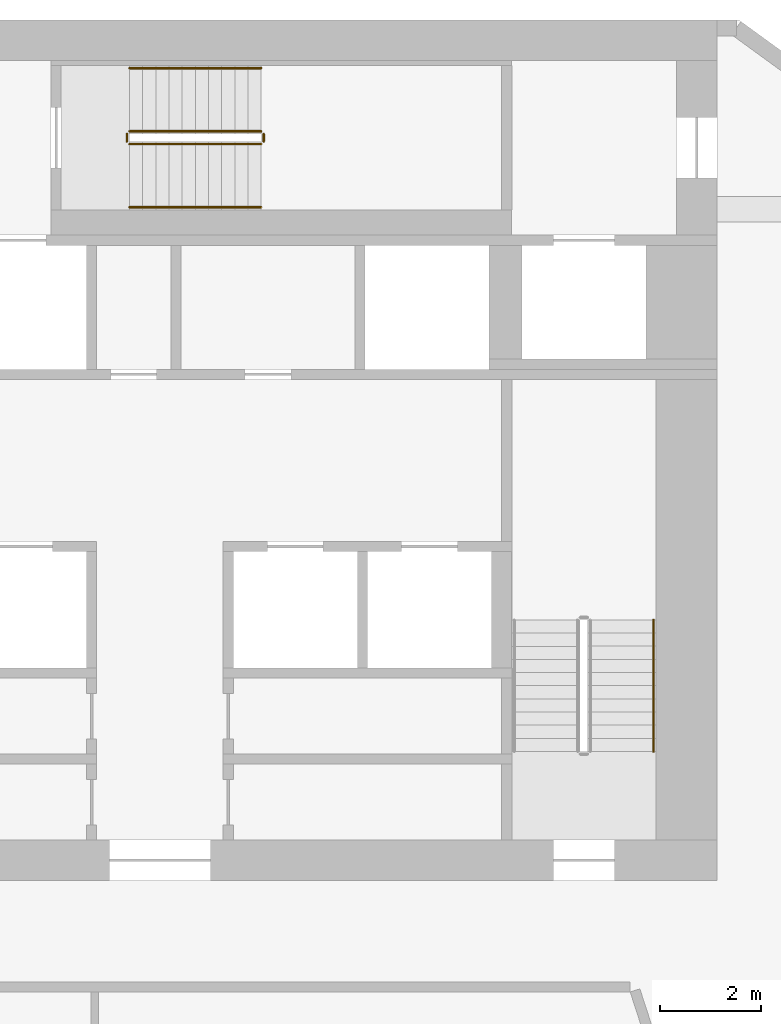
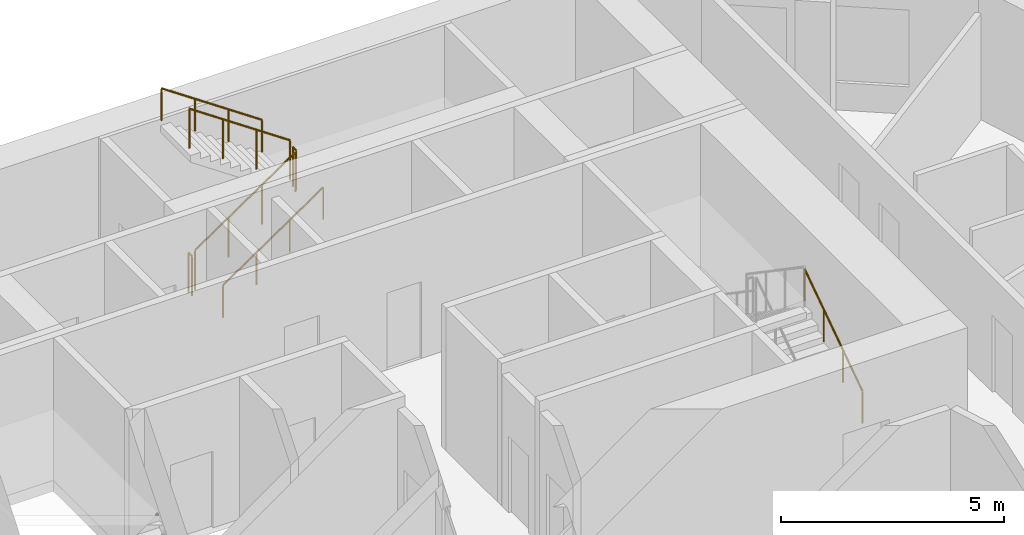
# One storey, part 9 of 9: 7 railings.
"""IFC4 building model written with IfcOpenShell, lengths in metres."""

import ifcopenshell
import ifcopenshell.guid

model = None  # the IFC model being written
_history = None  # IfcOwnerHistory: only IFC2X3 demands one
_inside = {}  # id of a spatial element -> (the spatial element, [elements in it])
_under = {}  # id of a project, library or spatial element -> (it, [spatial elements below it])
_declared = {}  # id of a project -> (the project, [libraries it declares])
_typed = {}  # id of a type object -> (the type object, [elements of that type])
_made_of = {}  # id of a material, layer set ... -> (it, [elements and type objects made of it])


def new_model(schema):
    """Start an empty IFC model of exactly this schema.

    Asked for "IFC4X3", IfcOpenShell would pick the latest addendum, in which some entities
    have other attributes; the version numbers below select the first issue.
    IFC2X3 requires an IfcOwnerHistory on every rooted entity: one is made here for all.
    """
    global model, _history
    if schema == "IFC4X3":
        model = ifcopenshell.file(schema_version=(4, 3, 0, 0))
    else:
        model = ifcopenshell.file(schema=schema)
    _inside.clear()
    _under.clear()
    _declared.clear()
    _typed.clear()
    _made_of.clear()
    _history = None
    if model.schema == "IFC2X3":
        org = make("IfcOrganization", Name="unknown")
        user = make(
            "IfcPersonAndOrganization",
            ThePerson=make("IfcPerson", FamilyName="unknown"),
            TheOrganization=org,
        )
        app = make(
            "IfcApplication",
            ApplicationDeveloper=org,
            Version="unknown",
            ApplicationFullName="unknown",
            ApplicationIdentifier="unknown",
        )
        _history = make(
            "IfcOwnerHistory",
            OwningUser=user,
            OwningApplication=app,
            ChangeAction="ADDED",
            CreationDate=0,
        )
    return model


def make(cls, **values):
    """One entity of the class cls with the attributes given. An attribute that is None is left unset."""
    return model.create_entity(
        cls, **{name: value for name, value in values.items() if value is not None}
    )


def rooted(cls, **values):
    """An entity with a GlobalId (a new one), such as an element, a storey or a relation."""
    return make(cls, GlobalId=ifcopenshell.guid.new(), OwnerHistory=_history, **values)


def si_unit(unit_type, name, prefix=None):
    """IfcSIUnit, for example si_unit("LENGTHUNIT", "METRE", prefix="MILLI")."""
    return make("IfcSIUnit", UnitType=unit_type, Prefix=prefix, Name=name)


def assignment(units):
    """IfcUnitAssignment: the units of a project."""
    return None if units is None else make("IfcUnitAssignment", Units=units)


def point(xyz):
    """IfcCartesianPoint."""
    return None if xyz is None else make("IfcCartesianPoint", Coordinates=xyz)


def direction(xyz):
    """IfcDirection."""
    return None if xyz is None else make("IfcDirection", DirectionRatios=xyz)


def frame(location, z_axis=None, x_axis=None):
    """IfcAxis2Placement3D, a coordinate frame: its origin and axes. An axis left out is left unset."""
    return make(
        "IfcAxis2Placement3D",
        Location=point(location),
        Axis=direction(z_axis),
        RefDirection=direction(x_axis),
    )


def frame_2d(location, x_axis=None):
    """IfcAxis2Placement2D, a coordinate frame in the plane: its origin and x axis."""
    return make(
        "IfcAxis2Placement2D", Location=point(location), RefDirection=direction(x_axis)
    )


def origin():
    """The frame at (0, 0, 0) with its axes left unset."""
    return frame((0.0, 0.0, 0.0))


def origin_2d():
    """The frame at (0, 0) in the plane with its x axis left unset."""
    return frame_2d((0.0, 0.0))


def place(relative_to, where):
    """IfcLocalPlacement: puts the frame where relative to a parent placement (None: the world)."""
    return make(
        "IfcLocalPlacement", PlacementRelTo=relative_to, RelativePlacement=where
    )


def context(
    kind, dimensions, precision=None, world=None, true_north=None, identifier=None
):
    """IfcGeometricRepresentationContext, for example the 3D "Model" context."""
    return make(
        "IfcGeometricRepresentationContext",
        ContextIdentifier=identifier,
        ContextType=kind,
        CoordinateSpaceDimension=dimensions,
        Precision=precision,
        WorldCoordinateSystem=world,
        TrueNorth=true_north,
    )


def subcontext(parent, identifier, kind, view, scale=None):
    """IfcGeometricRepresentationSubContext, for example "Body" below "Model"."""
    return make(
        "IfcGeometricRepresentationSubContext",
        ContextIdentifier=identifier,
        ContextType=kind,
        ParentContext=parent,
        TargetScale=scale,
        TargetView=view,
    )


def project(units=None, contexts=None):
    """IfcProject with its units and contexts."""
    return rooted(
        "IfcProject",
        Name="project",
        RepresentationContexts=contexts,
        UnitsInContext=assignment(units),
    )


def spatial(cls, under=None, at=None, **own):
    """A site, building, storey or space (cls), placed at a placement, below another one or the project."""
    s = rooted(cls, ObjectPlacement=at, **own)
    if under is not None:
        _under.setdefault(under.id(), (under, []))[1].append(s)
    return s


def profile(cls, at=None, kind="AREA", **sizes):
    """A parametric profile (cls). Its sizes go by their IFC names, for example OverallWidth=200.0."""
    return make(cls, ProfileType=kind, Position=at, **sizes)


def circle(**sizes):
    """IfcCircleProfileDef."""
    return profile("IfcCircleProfileDef", **sizes)


def extrude(swept, where, along, depth):
    """IfcExtrudedAreaSolid: the profile swept, set in the frame where, extruded along a direction by depth."""
    return make(
        "IfcExtrudedAreaSolid",
        SweptArea=swept,
        Position=where,
        ExtrudedDirection=direction(along),
        Depth=depth,
    )


def shape(context_of_items, identifier, shape_type, items):
    """IfcShapeRepresentation: the items that make up one representation, for example the "Body"."""
    return make(
        "IfcShapeRepresentation",
        ContextOfItems=context_of_items,
        RepresentationIdentifier=identifier,
        RepresentationType=shape_type,
        Items=items,
    )


def material(Name=None, Category=None):
    """IfcMaterial."""
    return make("IfcMaterial", Name=Name, Category=Category)


def made_of(thing, what):
    """Note that an element or type object is made of a material, layer set ...; save() writes the relation."""
    if what is not None:
        _made_of.setdefault(what.id(), (what, []))[1].append(thing)
    return thing


def type_object(cls, material=None, **own):
    """A type object (cls), such as IfcWallType, which elements share."""
    return made_of(rooted(cls, **own), material)


def element(
    cls,
    number,
    at=None,
    inside=None,
    cuts=None,
    type_object=None,
    material=None,
    context=None,
    identifier="Body",
    shape_type=None,
    held_by="IfcProductDefinitionShape",
    body=None,
    shapes=None,
    **own,
):
    """One element of the class cls, such as IfcWall. Its Tag is "e" and its number.

    at: its placement. inside: the storey or other place that contains it. cuts: it is an
    opening in that element (IfcRelVoidsElement). A single representation is given by context,
    identifier, shape_type and body (its items); several are given by shapes. held_by: the class
    of the entity that holds the representations. save() writes the other relations.
    """
    e = rooted(cls, Tag="e%d" % number, ObjectPlacement=at, **own)
    if body is not None:
        shapes = [shape(context, identifier, shape_type, body)]
    if shapes is not None:
        e.Representation = make(held_by, Representations=shapes)
    if inside is not None:
        _inside.setdefault(inside.id(), (inside, []))[1].append(e)
    if cuts is not None:
        rooted(
            "IfcRelVoidsElement", RelatingBuildingElement=cuts, RelatedOpeningElement=e
        )
    if type_object is not None:
        _typed.setdefault(type_object.id(), (type_object, []))[1].append(e)
    return made_of(e, material)


def aggregate(whole, parts):
    """IfcRelAggregates: a whole, such as a stair, and the parts it consists of."""
    return rooted("IfcRelAggregates", RelatingObject=whole, RelatedObjects=parts)


def save(model, path):
    """Write the relations noted so far, then the file.

    IfcRelAggregates (storeys below a building ...), IfcRelContainedInSpatialStructure (elements
    in a storey), IfcRelDefinesByType, IfcRelAssociatesMaterial and IfcRelDeclares: one each for
    every whole, place, type object, material and project.
    """
    for whole, parts in _under.values():
        aggregate(whole, parts)
    for where, things in _inside.values():
        rooted(
            "IfcRelContainedInSpatialStructure",
            RelatedElements=things,
            RelatingStructure=where,
        )
    for kind, things in _typed.values():
        rooted("IfcRelDefinesByType", RelatedObjects=things, RelatingType=kind)
    for what, things in _made_of.values():
        rooted("IfcRelAssociatesMaterial", RelatedObjects=things, RelatingMaterial=what)
    for by, libraries in _declared.values():
        rooted("IfcRelDeclares", RelatingContext=by, RelatedDefinitions=libraries)
    model.write(path)


model = new_model("IFC4")

# Units and contexts
model_context = context("Model", 3, precision=1e-05, world=origin(), true_north=direction((0.0, 1.0)))
body_context = subcontext(model_context, "Body", "Model", "MODEL_VIEW")
ifc_project = project(units=[si_unit("LENGTHUNIT", "METRE"), si_unit("AREAUNIT", "SQUARE_METRE"), si_unit("VOLUMEUNIT", "CUBIC_METRE"), si_unit("PLANEANGLEUNIT", "RADIAN"), si_unit("MASSUNIT", "GRAM", prefix="KILO")], contexts=[model_context])

# Site, building, storey
site_placement = place(None, origin())
site = spatial("IfcSite", under=ifc_project, at=site_placement, CompositionType="ELEMENT")
building_placement = place(site_placement, origin())
building = spatial("IfcBuilding", under=site, at=building_placement, Name="White Candle Pilgrim Tower", CompositionType="ELEMENT")
storey_placement = place(building_placement, frame((0.0, 0.0, 212.10009765625)))
storey = spatial("IfcBuildingStorey", under=building, at=storey_placement, Name="L49", CompositionType="ELEMENT", Elevation=212.10009765625)

# Railings
ifc_material = material(Name="Stainless steel", Category="steel")
railing_type_1 = type_object("IfcRailingType", Name="Stair guard stainless steel 1100 mm", PredefinedType="GUARDRAIL", material=ifc_material)
railing_1_placement = place(storey_placement, frame((69.39990234375, 85.550048828125, 0.17724609375)))
element("IfcRailing", 1, at=railing_1_placement, inside=storey, type_object=railing_type_1, Name="L49 ST3 stair guard 1", PredefinedType="GUARDRAIL", context=body_context, shape_type="SweptSolid", body=[
    extrude(circle(Radius=0.02392578125, at=origin_2d()), frame((0.0, 0.0, 1.076171875), z_axis=(0.826240473404, 0.0, 0.563317565952), x_axis=(0.0, 1.0, 0.0)), (0.0, 0.0, 1.0), 3.14697265625),
    extrude(circle(Radius=0.02099609375, at=origin_2d()), origin(), (0.0, 0.0, 1.0), 1.052001953125),
    extrude(circle(Radius=0.02099609375, at=origin_2d()), frame((0.86669921875, 0.0, 0.5908203125)), (0.0, 0.0, 1.0), 1.052001953125),
    extrude(circle(Radius=0.02099609375, at=origin_2d()), frame((1.7333984375, 0.0, 1.181884765625)), (0.0, 0.0, 1.0), 1.052001953125),
    extrude(circle(Radius=0.02099609375, at=origin_2d()), frame((2.60009765625, 0.0, 1.772705078125)), (0.0, 0.0, 1.0), 1.052001953125),
])
railing_2_placement = place(storey_placement, frame((72.050048828125, 85.60009765625, 1.949951171875)))
element("IfcRailing", 2, at=railing_2_placement, inside=storey, type_object=railing_type_1, Name="L49 ST3 stair guard 2", PredefinedType="GUARDRAIL", context=body_context, shape_type="SweptSolid", body=[
    extrude(circle(Radius=0.02392578125, at=origin_2d()), frame((0.0, 0.0, 1.076171875), z_axis=(0.0, 1.0, 0.0), x_axis=(-1.0, 0.0, 0.0)), (0.0, 0.0, 1.0), 0.14990234375),
    extrude(circle(Radius=0.02099609375, at=origin_2d()), origin(), (0.0, 0.0, 1.0), 1.052001953125),
    extrude(circle(Radius=0.02099609375, at=origin_2d()), frame((0.0, 0.14990234375, 0.0)), (0.0, 0.0, 1.0), 1.052001953125),
])
railing_3_placement = place(storey_placement, frame((72.0, 85.800048828125, 2.127197265625)))
element("IfcRailing", 3, at=railing_3_placement, inside=storey, type_object=railing_type_1, Name="L49 ST3 stair guard 3", PredefinedType="GUARDRAIL", context=body_context, shape_type="SweptSolid", body=[
    extrude(circle(Radius=0.02392578125, at=origin_2d()), frame((0.0, 0.0, 1.076171875), z_axis=(-0.826240473404, 0.0, 0.563317565952), x_axis=(0.0, -1.0, 0.0)), (0.0, 0.0, 1.0), 3.14697265625),
    extrude(circle(Radius=0.02099609375, at=origin_2d()), origin(), (0.0, 0.0, 1.0), 1.052001953125),
    extrude(circle(Radius=0.02099609375, at=origin_2d()), frame((-0.86669921875, 0.0, 0.5908203125)), (0.0, 0.0, 1.0), 1.052001953125),
    extrude(circle(Radius=0.02099609375, at=origin_2d()), frame((-1.7333984375, 0.0, 1.181884765625)), (0.0, 0.0, 1.0), 1.052001953125),
    extrude(circle(Radius=0.02099609375, at=origin_2d()), frame((-2.60009765625, 0.0, 1.772705078125)), (0.0, 0.0, 1.0), 1.052001953125),
])
railing_4_placement = place(storey_placement, frame((69.35009765625, 85.60009765625, 0.0)))
element("IfcRailing", 4, at=railing_4_placement, inside=storey, type_object=railing_type_1, Name="L49 ST3 stair guard 4", PredefinedType="GUARDRAIL", context=body_context, shape_type="SweptSolid", body=[
    extrude(circle(Radius=0.02392578125, at=origin_2d()), frame((0.0, 0.0, 1.076171875), z_axis=(0.0, 1.0, 0.0), x_axis=(-1.0, 0.0, 0.0)), (0.0, 0.0, 1.0), 0.14990234375),
    extrude(circle(Radius=0.02099609375, at=origin_2d()), origin(), (0.0, 0.0, 1.0), 1.052001953125),
    extrude(circle(Radius=0.02099609375, at=origin_2d()), frame((0.0, 0.14990234375, 0.0)), (0.0, 0.0, 1.0), 1.052001953125),
])
railing_type_2 = type_object("IfcRailingType", Name="Stair handrail stainless steel", PredefinedType="HANDRAIL", material=ifc_material)
railing_5_placement = place(storey_placement, frame((79.75, 73.550048828125, 0.17724609375)))
element("IfcRailing", 5, at=railing_5_placement, inside=storey, type_object=railing_type_2, Name="L49 ST2 stair handrail 1", PredefinedType="HANDRAIL", context=body_context, shape_type="SweptSolid", body=[
    extrude(circle(Radius=0.02392578125, at=origin_2d()), frame((0.0, 0.0, 0.8759765625), z_axis=(0.0, 0.826215852431, 0.563353676824), x_axis=(-1.0, 0.0, 0.0)), (0.0, 0.0, 1.0), 3.146728515625),
    extrude(circle(Radius=0.02099609375, at=origin_2d()), origin(), (0.0, 0.0, 1.0), 0.851806640625),
    extrude(circle(Radius=0.02099609375, at=origin_2d()), frame((0.0, 0.86669921875, 0.5908203125)), (0.0, 0.0, 1.0), 0.851806640625),
    extrude(circle(Radius=0.02099609375, at=origin_2d()), frame((0.0, 1.733154296875, 1.181884765625)), (0.0, 0.0, 1.0), 0.851806640625),
    extrude(circle(Radius=0.02099609375, at=origin_2d()), frame((0.0, 2.599853515625, 1.772705078125)), (0.0, 0.0, 1.0), 0.851806640625),
])
railing_6_placement = place(storey_placement, frame((69.39990234375, 84.300048828125, 0.17724609375)))
element("IfcRailing", 6, at=railing_6_placement, inside=storey, type_object=railing_type_2, Name="L49 ST3 stair handrail 1", PredefinedType="HANDRAIL", context=body_context, shape_type="SweptSolid", body=[
    extrude(circle(Radius=0.02392578125, at=origin_2d()), frame((0.0, 0.0, 0.8759765625), z_axis=(0.826240473404, 0.0, 0.563317565952), x_axis=(0.0, 1.0, 0.0)), (0.0, 0.0, 1.0), 3.14697265625),
    extrude(circle(Radius=0.02099609375, at=origin_2d()), origin(), (0.0, 0.0, 1.0), 0.851806640625),
    extrude(circle(Radius=0.02099609375, at=origin_2d()), frame((0.86669921875, 0.0, 0.5908203125)), (0.0, 0.0, 1.0), 0.851806640625),
    extrude(circle(Radius=0.02099609375, at=origin_2d()), frame((1.7333984375, 0.0, 1.181884765625)), (0.0, 0.0, 1.0), 0.851806640625),
    extrude(circle(Radius=0.02099609375, at=origin_2d()), frame((2.60009765625, 0.0, 1.772705078125)), (0.0, 0.0, 1.0), 0.851806640625),
])
railing_7_placement = place(storey_placement, frame((72.0, 87.050048828125, 2.127197265625)))
element("IfcRailing", 7, at=railing_7_placement, inside=storey, type_object=railing_type_2, Name="L49 ST3 stair handrail 2", PredefinedType="HANDRAIL", context=body_context, shape_type="SweptSolid", body=[
    extrude(circle(Radius=0.02392578125, at=origin_2d()), frame((0.0, 0.0, 0.8759765625), z_axis=(-0.826240473404, 0.0, 0.563317565952), x_axis=(0.0, -1.0, 0.0)), (0.0, 0.0, 1.0), 3.14697265625),
    extrude(circle(Radius=0.02099609375, at=origin_2d()), origin(), (0.0, 0.0, 1.0), 0.851806640625),
    extrude(circle(Radius=0.02099609375, at=origin_2d()), frame((-0.86669921875, 0.0, 0.5908203125)), (0.0, 0.0, 1.0), 0.851806640625),
    extrude(circle(Radius=0.02099609375, at=origin_2d()), frame((-1.7333984375, 0.0, 1.181884765625)), (0.0, 0.0, 1.0), 0.851806640625),
    extrude(circle(Radius=0.02099609375, at=origin_2d()), frame((-2.60009765625, 0.0, 1.772705078125)), (0.0, 0.0, 1.0), 0.851806640625),
])

save(model, "model.ifc")
